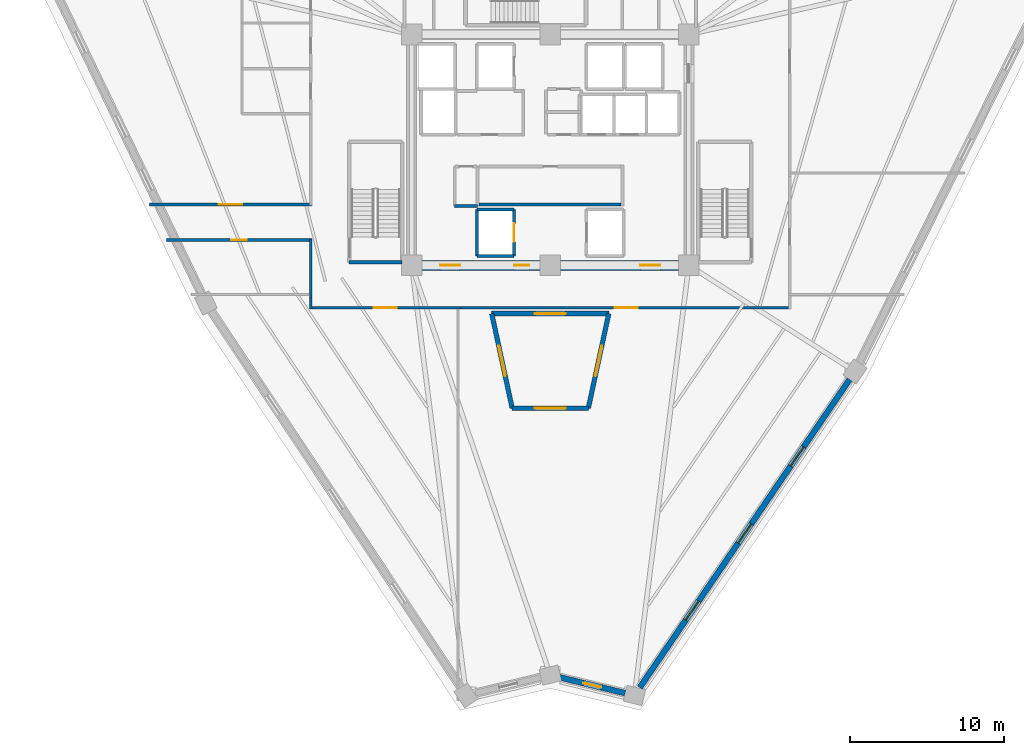
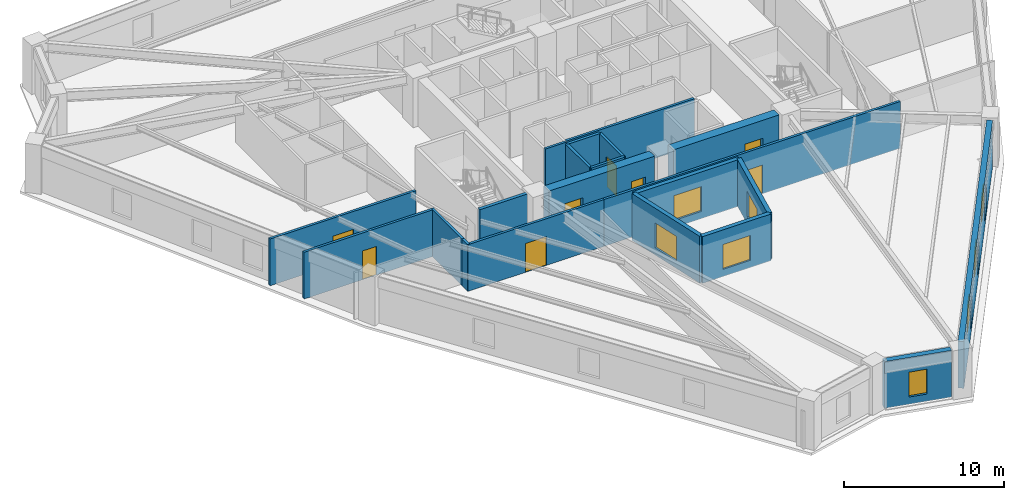
# One storey, part 3 of 10: 21 walls, 8 doors, 8 windows, 16 openings.
"""IFC4 building model written with IfcOpenShell, lengths in metres."""

from ifc_helpers import new_model, si_unit, direction, frame, frame_2d, origin, place, context, subcontext, project, spatial, rectangle, extrude, source, transform, mapped, material, layer, layer_set, type_object, element, fill, save


model = new_model("IFC4")

# Units and contexts
model_context = context("Model", 3, precision=1e-05, world=origin(), true_north=direction((0.0, 1.0)))
body_context = subcontext(model_context, "Body", "Model", "MODEL_VIEW")
ifc_project = project(units=[si_unit("LENGTHUNIT", "METRE"), si_unit("AREAUNIT", "SQUARE_METRE"), si_unit("VOLUMEUNIT", "CUBIC_METRE"), si_unit("PLANEANGLEUNIT", "RADIAN"), si_unit("MASSUNIT", "GRAM", prefix="KILO")], contexts=[model_context])

# Site, building, storey
site_placement = place(None, origin())
site = spatial("IfcSite", under=ifc_project, at=site_placement, CompositionType="ELEMENT")
building_placement = place(site_placement, origin())
building = spatial("IfcBuilding", under=site, at=building_placement, Name="Liaohun Quay Tower", CompositionType="ELEMENT")
storey_placement = place(building_placement, frame((0.0, 0.0, 216.75)))
storey = spatial("IfcBuildingStorey", under=building, at=storey_placement, Name="L56", CompositionType="ELEMENT", Elevation=216.75)

# Wall, opening, window
ifc_material_1 = material(Name="Concrete C50", Category="concrete")
ifc_layer_1 = layer(ifc_material_1, 0.300048828125, Name="Concrete C50", Category="concrete")
ifc_layer_set_1 = layer_set([ifc_layer_1], Name="Concrete C50")
wall_type_1 = type_object("IfcWallType", Name="WAL-ATR-300", PredefinedType="SOLIDWALL", material=ifc_layer_set_1)
wall_1_placement = place(storey_placement, frame((57.529052734375, 37.216064453125, 0.0), z_axis=(0.0, 0.0, 1.0), x_axis=(-0.21140087136, 0.97739944321, 0.0)))
wall_1 = element("IfcWall", 1, at=wall_1_placement, inside=storey, type_object=wall_type_1, Name="L56 Atrium Fire Compartment Wall 1", PredefinedType="SOLIDWALL", context=body_context, shape_type="SweptSolid", body=[
    extrude(rectangle(XDim=6.29638671875, YDim=0.300048828125, at=frame_2d((3.148193359375, 0.0))), origin(), (0.0, 0.0, 1.0), 3.570068359375),
])
shared_shape_1 = source(origin(), body_context, "Body", "SweptSolid", [
    extrude(rectangle(XDim=2.0, YDim=1.89990234375, at=frame_2d((1.0, 0.949951171875))), frame((0.0, 0.159912109375, 0.0), z_axis=(0.0, -1.0, 0.0), x_axis=(1.0, 0.0, 0.0)), (0.0, 0.0, 1.0), 0.320068359375),
])
opening_1_placement = place(wall_1_placement, frame((2.14794921875, 0.0, 0.550048828125)))
opening_1 = element("IfcOpeningElement", 2, at=opening_1_placement, cuts=wall_1, Name="Opening W07", PredefinedType="OPENING", context=body_context, shape_type="MappedRepresentation", body=[
    mapped(shared_shape_1, transform((0.0, 0.0, 0.0), x_axis=(1.0, 0.0, 0.0), y_axis=(0.0, 1.0, 0.0), z_axis=(0.0, 0.0, 1.0), scale=1.0)),
])
ifc_material_2 = material(Name="Class A 180-min fire-resistant insulated glazing", Category="glass")
window_type_1 = type_object("IfcWindowType", Name="WIN-ATR-FIR", PartitioningType="DOUBLE_PANEL_VERTICAL", PredefinedType="WINDOW", material=ifc_material_2)
shared_shape_2 = source(origin(), body_context, "Body", "SweptSolid", [
    extrude(rectangle(XDim=2.0, YDim=1.89990234375, at=frame_2d((1.0, 0.949951171875))), frame((0.0, 0.030029296875, 0.0), z_axis=(0.0, -1.0, 0.0), x_axis=(1.0, 0.0, 0.0)), (0.0, 0.0, 1.0), 0.06005859375),
])
window_1_placement = place(opening_1_placement, origin())
window_1 = element("IfcWindow", 3, at=window_1_placement, inside=storey, type_object=window_type_1, Name="L56 Atrium Fire-Resistant Glazing W07-1", OverallHeight=1.89990234375, OverallWidth=2.0, PartitioningType="DOUBLE_PANEL_VERTICAL", PredefinedType="WINDOW", context=body_context, shape_type="MappedRepresentation", body=[
    mapped(shared_shape_2, transform((0.0, 0.0, 0.0), x_axis=(1.0, 0.0, 0.0), y_axis=(0.0, 1.0, 0.0), z_axis=(0.0, 0.0, 1.0), scale=1.0)),
])
fill(opening_1, window_1)

wall_2_placement = place(storey_placement, frame((56.197998046875, 43.3701171875, 0.0), z_axis=(0.0, 0.0, 1.0), x_axis=(1.0, 0.0, 0.0)))
wall_2 = element("IfcWall", 4, at=wall_2_placement, inside=storey, type_object=wall_type_1, Name="L56 Atrium Fire Compartment Wall 2", PredefinedType="SOLIDWALL", context=body_context, shape_type="SweptSolid", body=[
    extrude(rectangle(XDim=7.60400390625, YDim=0.300048828125, at=frame_2d((3.802001953125, 0.0))), origin(), (0.0, 0.0, 1.0), 3.570068359375),
])
opening_2_placement = place(wall_2_placement, frame((2.802001953125, 0.0, 0.550048828125)))
opening_2 = element("IfcOpeningElement", 5, at=opening_2_placement, cuts=wall_2, Name="Opening W07", PredefinedType="OPENING", context=body_context, shape_type="MappedRepresentation", body=[
    mapped(shared_shape_1, transform((0.0, 0.0, 0.0), x_axis=(1.0, 0.0, 0.0), y_axis=(0.0, 1.0, 0.0), z_axis=(0.0, 0.0, 1.0), scale=1.0)),
])
window_2_placement = place(opening_2_placement, origin())
window_2 = element("IfcWindow", 6, at=window_2_placement, inside=storey, type_object=window_type_1, Name="L56 Atrium Fire-Resistant Glazing W07-2", OverallHeight=1.89990234375, OverallWidth=2.0, PartitioningType="DOUBLE_PANEL_VERTICAL", PredefinedType="WINDOW", context=body_context, shape_type="MappedRepresentation", body=[
    mapped(shared_shape_2, transform((0.0, 0.0, 0.0), x_axis=(1.0, 0.0, 0.0), y_axis=(0.0, 1.0, 0.0), z_axis=(0.0, 0.0, 1.0), scale=1.0)),
])
fill(opening_2, window_2)

wall_3_placement = place(storey_placement, frame((63.802001953125, 43.3701171875, 0.0), z_axis=(0.0, 0.0, 1.0), x_axis=(-0.21140087136, -0.97739944321, 0.0)))
wall_3 = element("IfcWall", 7, at=wall_3_placement, inside=storey, type_object=wall_type_1, Name="L56 Atrium Fire Compartment Wall 3", PredefinedType="SOLIDWALL", context=body_context, shape_type="SweptSolid", body=[
    extrude(rectangle(XDim=6.29638671875, YDim=0.300048828125, at=frame_2d((3.148193359375, 0.0))), origin(), (0.0, 0.0, 1.0), 3.570068359375),
])
opening_3_placement = place(wall_3_placement, frame((2.14794921875, 0.0, 0.550048828125)))
opening_3 = element("IfcOpeningElement", 8, at=opening_3_placement, cuts=wall_3, Name="Opening W07", PredefinedType="OPENING", context=body_context, shape_type="MappedRepresentation", body=[
    mapped(shared_shape_1, transform((0.0, 0.0, 0.0), x_axis=(1.0, 0.0, 0.0), y_axis=(0.0, 1.0, 0.0), z_axis=(0.0, 0.0, 1.0), scale=1.0)),
])
window_3_placement = place(opening_3_placement, origin())
window_3 = element("IfcWindow", 9, at=window_3_placement, inside=storey, type_object=window_type_1, Name="L56 Atrium Fire-Resistant Glazing W07-3", OverallHeight=1.89990234375, OverallWidth=2.0, PartitioningType="DOUBLE_PANEL_VERTICAL", PredefinedType="WINDOW", context=body_context, shape_type="MappedRepresentation", body=[
    mapped(shared_shape_2, transform((0.0, 0.0, 0.0), x_axis=(1.0, 0.0, 0.0), y_axis=(0.0, 1.0, 0.0), z_axis=(0.0, 0.0, 1.0), scale=1.0)),
])
fill(opening_3, window_3)

wall_4_placement = place(storey_placement, frame((62.470947265625, 37.216064453125, 0.0), z_axis=(0.0, 0.0, 1.0), x_axis=(-1.0, 0.0, 0.0)))
wall_4 = element("IfcWall", 10, at=wall_4_placement, inside=storey, type_object=wall_type_1, Name="L56 Atrium Fire Compartment Wall 4", PredefinedType="SOLIDWALL", context=body_context, shape_type="SweptSolid", body=[
    extrude(rectangle(XDim=4.94189453125, YDim=0.300048828125, at=frame_2d((2.470947265625, 0.0))), origin(), (0.0, 0.0, 1.0), 3.570068359375),
])
opening_4_placement = place(wall_4_placement, frame((1.470947265625, 0.0, 0.550048828125)))
opening_4 = element("IfcOpeningElement", 11, at=opening_4_placement, cuts=wall_4, Name="Opening W07", PredefinedType="OPENING", context=body_context, shape_type="MappedRepresentation", body=[
    mapped(shared_shape_1, transform((0.0, 0.0, 0.0), x_axis=(1.0, 0.0, 0.0), y_axis=(0.0, 1.0, 0.0), z_axis=(0.0, 0.0, 1.0), scale=1.0)),
])
window_4_placement = place(opening_4_placement, origin())
window_4 = element("IfcWindow", 12, at=window_4_placement, inside=storey, type_object=window_type_1, Name="L56 Atrium Fire-Resistant Glazing W07-4", OverallHeight=1.89990234375, OverallWidth=2.0, PartitioningType="DOUBLE_PANEL_VERTICAL", PredefinedType="WINDOW", context=body_context, shape_type="MappedRepresentation", body=[
    mapped(shared_shape_2, transform((0.0, 0.0, 0.0), x_axis=(1.0, 0.0, 0.0), y_axis=(0.0, 1.0, 0.0), z_axis=(0.0, 0.0, 1.0), scale=1.0)),
])
fill(opening_4, window_4)

# Wall, opening, door
ifc_material_3 = material(Name="Concrete C55", Category="concrete")
ifc_layer_2 = layer(ifc_material_3, 0.64990234375, Name="Concrete C55", Category="concrete")
ifc_layer_set_2 = layer_set([ifc_layer_2], Name="Concrete C55")
wall_type_2 = type_object("IfcWallType", Name="WAL-COR-Z3", PredefinedType="SHEAR", material=ifc_layer_set_2)
wall_5_placement = place(storey_placement, frame((68.324951171875, 46.5, 0.0), z_axis=(0.0, 0.0, 1.0), x_axis=(-1.0, 0.0, 0.0)))
wall_5 = element("IfcWall", 13, at=wall_5_placement, inside=storey, type_object=wall_type_2, Name="L56 Central Core Shear Wall S-E", PredefinedType="SHEAR", context=body_context, shape_type="SweptSolid", body=[
    extrude(rectangle(XDim=7.64990234375, YDim=0.64990234375, at=frame_2d((3.824951171875, 0.0))), origin(), (0.0, 0.0, 1.0), 3.570068359375),
])
shared_shape_3 = source(origin(), body_context, "Body", "SweptSolid", [
    extrude(rectangle(XDim=1.300048828125, YDim=2.199951171875, at=frame_2d((0.64990234375, 1.10009765625))), frame((0.0, 0.3349609375, 0.0), z_axis=(0.0, -1.0, 0.0), x_axis=(1.0, 0.0, 0.0)), (0.0, 0.0, 1.0), 0.669921875),
])
opening_5_placement = place(wall_5_placement, frame((1.175048828125, 0.0, 0.0)))
opening_5 = element("IfcOpeningElement", 14, at=opening_5_placement, cuts=wall_5, Name="Opening FD1", PredefinedType="OPENING", context=body_context, shape_type="MappedRepresentation", body=[
    mapped(shared_shape_3, transform((0.0, 0.0, 0.0), x_axis=(1.0, 0.0, 0.0), y_axis=(0.0, 1.0, 0.0), z_axis=(0.0, 0.0, 1.0), scale=1.0)),
])
ifc_material_4 = material(Name="Galvanised steel smokeproof fire door", Category="steel")
door_type_1 = type_object("IfcDoorType", Name="DOR-FFL-1300", OperationType="NOTDEFINED", PredefinedType="DOOR", material=ifc_material_4)
shared_shape_4 = source(origin(), body_context, "Body", "SweptSolid", [
    extrude(rectangle(XDim=1.300048828125, YDim=2.199951171875, at=frame_2d((0.64990234375, 1.10009765625))), frame((0.0, 0.02490234375, 0.0), z_axis=(0.0, -1.0, 0.0), x_axis=(1.0, 0.0, 0.0)), (0.0, 0.0, 1.0), 0.050048828125),
])
door_1_placement = place(opening_5_placement, origin())
door_1 = element("IfcDoor", 15, at=door_1_placement, inside=storey, type_object=door_type_1, Name="L56 East Core Lift Lobby Smokeproof Door", OperationType="SINGLE_SWING_LEFT", OverallHeight=2.199951171875, OverallWidth=1.300048828125, PredefinedType="DOOR", context=body_context, shape_type="MappedRepresentation", body=[
    mapped(shared_shape_4, transform((0.0, 0.0, 0.0), x_axis=(1.0, 0.0, 0.0), y_axis=(0.0, 1.0, 0.0), z_axis=(0.0, 0.0, 1.0), scale=1.0)),
])
fill(opening_5, door_1)

# Wall, openings, doors
wall_6_placement = place(storey_placement, frame((59.324951171875, 46.5, 0.0), z_axis=(0.0, 0.0, 1.0), x_axis=(-1.0, 0.0, 0.0)))
wall_6 = element("IfcWall", 16, at=wall_6_placement, inside=storey, type_object=wall_type_2, Name="L56 Central Core Shear Wall S-W", PredefinedType="SHEAR", context=body_context, shape_type="SweptSolid", body=[
    extrude(rectangle(XDim=7.64990234375, YDim=0.64990234375, at=frame_2d((3.824951171875, 0.0))), origin(), (0.0, 0.0, 1.0), 3.570068359375),
])
opening_6_placement = place(wall_6_placement, frame((5.175048828125, 0.0, 0.0)))
opening_6 = element("IfcOpeningElement", 17, at=opening_6_placement, cuts=wall_6, Name="Opening FD1", PredefinedType="OPENING", context=body_context, shape_type="MappedRepresentation", body=[
    mapped(shared_shape_3, transform((0.0, 0.0, 0.0), x_axis=(1.0, 0.0, 0.0), y_axis=(0.0, 1.0, 0.0), z_axis=(0.0, 0.0, 1.0), scale=1.0)),
])
shared_shape_5 = source(origin(), body_context, "Body", "SweptSolid", [
    extrude(rectangle(XDim=1.0, YDim=2.199951171875, at=frame_2d((0.5, 1.10009765625))), frame((0.0, 0.3349609375, 0.0), z_axis=(0.0, -1.0, 0.0), x_axis=(1.0, 0.0, 0.0)), (0.0, 0.0, 1.0), 0.669921875),
])
opening_7_placement = place(wall_6_placement, frame((0.675048828125, 0.0, 0.0)))
opening_7 = element("IfcOpeningElement", 18, at=opening_7_placement, cuts=wall_6, Name="Opening FD2", PredefinedType="OPENING", context=body_context, shape_type="MappedRepresentation", body=[
    mapped(shared_shape_5, transform((0.0, 0.0, 0.0), x_axis=(1.0, 0.0, 0.0), y_axis=(0.0, 1.0, 0.0), z_axis=(0.0, 0.0, 1.0), scale=1.0)),
])
door_2_placement = place(opening_6_placement, origin())
door_2 = element("IfcDoor", 19, at=door_2_placement, inside=storey, type_object=door_type_1, Name="L56 West Core Lift Lobby Smokeproof Door", OperationType="SINGLE_SWING_RIGHT", OverallHeight=2.199951171875, OverallWidth=1.300048828125, PredefinedType="DOOR", context=body_context, shape_type="MappedRepresentation", body=[
    mapped(shared_shape_4, transform((0.0, 0.0, 0.0), x_axis=(1.0, 0.0, 0.0), y_axis=(0.0, 1.0, 0.0), z_axis=(0.0, 0.0, 1.0), scale=1.0)),
])
fill(opening_6, door_2)
ifc_material_5 = material(Name="Galvanised steel smokeproof lobby fire door", Category="steel")
door_type_2 = type_object("IfcDoorType", Name="DOR-FFL-1000", OperationType="NOTDEFINED", PredefinedType="DOOR", material=ifc_material_5)
shared_shape_6 = source(origin(), body_context, "Body", "SweptSolid", [
    extrude(rectangle(XDim=1.0, YDim=2.199951171875, at=frame_2d((0.5, 1.10009765625))), frame((0.0, 0.02490234375, 0.0), z_axis=(0.0, -1.0, 0.0), x_axis=(1.0, 0.0, 0.0)), (0.0, 0.0, 1.0), 0.050048828125),
])
door_3_placement = place(opening_7_placement, origin())
door_3 = element("IfcDoor", 20, at=door_3_placement, inside=storey, type_object=door_type_2, Name="L56 South Firefighting Lobby Smokeproof Door", OperationType="SINGLE_SWING_LEFT", OverallHeight=2.199951171875, OverallWidth=1.0, PredefinedType="DOOR", context=body_context, shape_type="MappedRepresentation", body=[
    mapped(shared_shape_6, transform((0.0, 0.0, 0.0), x_axis=(1.0, 0.0, 0.0), y_axis=(0.0, 1.0, 0.0), z_axis=(0.0, 0.0, 1.0), scale=1.0)),
])
fill(opening_7, door_3)

# Wall, opening, window
ifc_material_6 = material(Name="Precast concrete C50 insulated sandwich", Category="concrete")
ifc_layer_3 = layer(ifc_material_6, 0.3798828125, Name="Precast concrete C50 insulated sandwich", Category="concrete")
ifc_layer_set_3 = layer_set([ifc_layer_3], Name="Precast concrete C50 insulated sandwich")
wall_type_3 = type_object("IfcWallType", Name="WAL-EXT-Z34", PredefinedType="SOLIDWALL", material=ifc_layer_set_3)
wall_7_placement = place(storey_placement, frame((60.597900390625, 19.7451171875, 0.0), z_axis=(0.0, 0.0, 1.0), x_axis=(0.971991723914, -0.235015081735, 0.0)))
wall_7 = element("IfcWall", 21, at=wall_7_placement, inside=storey, type_object=wall_type_3, Name="L56 Brutalist Precast Pier Wall 01", PredefinedType="SOLIDWALL", context=body_context, shape_type="SweptSolid", body=[
    extrude(rectangle(XDim=4.396240234375, YDim=0.3798828125, at=frame_2d((2.1982421875, 0.0))), origin(), (0.0, 0.0, 1.0), 3.570068359375),
])
shared_shape_7 = source(origin(), body_context, "Body", "SweptSolid", [
    extrude(rectangle(XDim=1.199951171875, YDim=1.89990234375, at=frame_2d((0.60009765625, 0.949951171875))), frame((0.0, 0.199951171875, 0.0), z_axis=(0.0, -1.0, 0.0), x_axis=(1.0, 0.0, 0.0)), (0.0, 0.0, 1.0), 0.39990234375),
])
opening_8_placement = place(wall_7_placement, frame((1.597900390625, 0.0, 0.550048828125)))
opening_8 = element("IfcOpeningElement", 22, at=opening_8_placement, cuts=wall_7, Name="Opening W05", PredefinedType="OPENING", context=body_context, shape_type="MappedRepresentation", body=[
    mapped(shared_shape_7, transform((0.0, 0.0, 0.0), x_axis=(1.0, 0.0, 0.0), y_axis=(0.0, 1.0, 0.0), z_axis=(0.0, 0.0, 1.0), scale=1.0)),
])
ifc_material_7 = material(Name="Triple Low-E corner notch glazing", Category="glass")
window_type_2 = type_object("IfcWindowType", Name="WIN-NOTCH", PartitioningType="SINGLE_PANEL", PredefinedType="WINDOW", material=ifc_material_7)
shared_shape_8 = source(origin(), body_context, "Body", "SweptSolid", [
    extrude(rectangle(XDim=1.199951171875, YDim=1.89990234375, at=frame_2d((0.60009765625, 0.949951171875))), frame((0.0, 0.030029296875, 0.0), z_axis=(0.0, -1.0, 0.0), x_axis=(1.0, 0.0, 0.0)), (0.0, 0.0, 1.0), 0.06005859375),
])
window_5_placement = place(opening_8_placement, origin())
window_5 = element("IfcWindow", 23, at=window_5_placement, inside=storey, type_object=window_type_2, Name="L56 Corner Notch Window W05-01", OverallHeight=1.89990234375, OverallWidth=1.199951171875, PartitioningType="SINGLE_PANEL", PredefinedType="WINDOW", context=body_context, shape_type="MappedRepresentation", body=[
    mapped(shared_shape_8, transform((0.0, 0.0, 0.0), x_axis=(1.0, 0.0, 0.0), y_axis=(0.0, 1.0, 0.0), z_axis=(0.0, 0.0, 1.0), scale=1.0)),
])
fill(opening_8, window_5)

# Wall, openings, windows
wall_8_placement = place(storey_placement, frame((65.81494140625, 19.075927734375, 0.0), z_axis=(0.0, 0.0, 1.0), x_axis=(0.562867607659, 0.82654706838, 0.0)))
wall_8 = element("IfcWall", 24, at=wall_8_placement, inside=storey, type_object=wall_type_3, Name="L56 Brutalist Precast Pier Wall 02", PredefinedType="SOLIDWALL", context=body_context, shape_type="SweptSolid", body=[
    extrude(rectangle(XDim=24.222412109375, YDim=0.3798828125, at=frame_2d((12.111328125, 0.0))), origin(), (0.0, 0.0, 1.0), 3.570068359375),
])
shared_shape_9 = source(origin(), body_context, "Body", "SweptSolid", [
    extrude(rectangle(XDim=1.5, YDim=1.89990234375, at=frame_2d((0.75, 0.949951171875))), frame((0.0, 0.199951171875, 0.0), z_axis=(0.0, -1.0, 0.0), x_axis=(1.0, 0.0, 0.0)), (0.0, 0.0, 1.0), 0.39990234375),
])
opening_9_placement = place(wall_8_placement, frame((5.305908203125, 0.0, 0.550048828125)))
opening_9 = element("IfcOpeningElement", 25, at=opening_9_placement, cuts=wall_8, Name="Opening W03", PredefinedType="OPENING", context=body_context, shape_type="MappedRepresentation", body=[
    mapped(shared_shape_9, transform((0.0, 0.0, 0.0), x_axis=(1.0, 0.0, 0.0), y_axis=(0.0, 1.0, 0.0), z_axis=(0.0, 0.0, 1.0), scale=1.0)),
])
opening_10_placement = place(wall_8_placement, frame((11.361083984375, 0.0, 0.550048828125)))
opening_10 = element("IfcOpeningElement", 26, at=opening_10_placement, cuts=wall_8, Name="Opening W03", PredefinedType="OPENING", context=body_context, shape_type="MappedRepresentation", body=[
    mapped(shared_shape_9, transform((0.0, 0.0, 0.0), x_axis=(1.0, 0.0, 0.0), y_axis=(0.0, 1.0, 0.0), z_axis=(0.0, 0.0, 1.0), scale=1.0)),
])
opening_11_placement = place(wall_8_placement, frame((17.4169921875, 0.0, 0.550048828125)))
opening_11 = element("IfcOpeningElement", 27, at=opening_11_placement, cuts=wall_8, Name="Opening W03", PredefinedType="OPENING", context=body_context, shape_type="MappedRepresentation", body=[
    mapped(shared_shape_9, transform((0.0, 0.0, 0.0), x_axis=(1.0, 0.0, 0.0), y_axis=(0.0, 1.0, 0.0), z_axis=(0.0, 0.0, 1.0), scale=1.0)),
])
ifc_material_8 = material(Name="Triple Low-E argon glazing in thermally broken aluminium", Category="aluminium")
window_type_3 = type_object("IfcWindowType", Name="WIN-PUN-Z3", PartitioningType="DOUBLE_PANEL_VERTICAL", PredefinedType="WINDOW", material=ifc_material_8)
shared_shape_10 = source(origin(), body_context, "Body", "SweptSolid", [
    extrude(rectangle(XDim=1.5, YDim=1.89990234375, at=frame_2d((0.75, 0.949951171875))), frame((0.0, 0.030029296875, 0.0), z_axis=(0.0, -1.0, 0.0), x_axis=(1.0, 0.0, 0.0)), (0.0, 0.0, 1.0), 0.06005859375),
])
window_6_placement = place(opening_9_placement, origin())
window_6 = element("IfcWindow", 28, at=window_6_placement, inside=storey, type_object=window_type_3, Name="L56 Recessed Cold-Climate Punched Window 02-1", OverallHeight=1.89990234375, OverallWidth=1.5, PartitioningType="DOUBLE_PANEL_VERTICAL", PredefinedType="WINDOW", context=body_context, shape_type="MappedRepresentation", body=[
    mapped(shared_shape_10, transform((0.0, 0.0, 0.0), x_axis=(1.0, 0.0, 0.0), y_axis=(0.0, 1.0, 0.0), z_axis=(0.0, 0.0, 1.0), scale=1.0)),
])
fill(opening_9, window_6)
window_7_placement = place(opening_10_placement, origin())
window_7 = element("IfcWindow", 29, at=window_7_placement, inside=storey, type_object=window_type_3, Name="L56 Recessed Cold-Climate Punched Window 02-2", OverallHeight=1.89990234375, OverallWidth=1.5, PartitioningType="DOUBLE_PANEL_VERTICAL", PredefinedType="WINDOW", context=body_context, shape_type="MappedRepresentation", body=[
    mapped(shared_shape_10, transform((0.0, 0.0, 0.0), x_axis=(1.0, 0.0, 0.0), y_axis=(0.0, 1.0, 0.0), z_axis=(0.0, 0.0, 1.0), scale=1.0)),
])
fill(opening_10, window_7)
window_8_placement = place(opening_11_placement, origin())
window_8 = element("IfcWindow", 30, at=window_8_placement, inside=storey, type_object=window_type_3, Name="L56 Recessed Cold-Climate Punched Window 02-3", OverallHeight=1.89990234375, OverallWidth=1.5, PartitioningType="DOUBLE_PANEL_VERTICAL", PredefinedType="WINDOW", context=body_context, shape_type="MappedRepresentation", body=[
    mapped(shared_shape_10, transform((0.0, 0.0, 0.0), x_axis=(1.0, 0.0, 0.0), y_axis=(0.0, 1.0, 0.0), z_axis=(0.0, 0.0, 1.0), scale=1.0)),
])
fill(opening_11, window_8)

# Wall, opening, door
ifc_material_9 = material(Name="Autoclaved aerated concrete blockwork", Category="masonry")
ifc_layer_4 = layer(ifc_material_9, 0.179931640625, Name="Autoclaved aerated concrete blockwork", Category="masonry")
ifc_layer_set_4 = layer_set([ifc_layer_4], Name="Autoclaved aerated concrete blockwork")
wall_type_4 = type_object("IfcWallType", Name="WAL-PRT-COR", PredefinedType="PARTITIONING", material=ifc_layer_set_4)
wall_9_placement = place(storey_placement, frame((33.9560546875, 50.4599609375, 0.0), z_axis=(0.0, 0.0, 1.0), x_axis=(1.0, 0.0, 0.0)))
wall_9 = element("IfcWall", 31, at=wall_9_placement, inside=storey, type_object=wall_type_4, Name="L56 Interior Partition Wall 019", PredefinedType="PARTITIONING", context=body_context, shape_type="SweptSolid", body=[
    extrude(rectangle(XDim=10.553955078125, YDim=0.179931640625, at=frame_2d((5.27685546875, 0.0))), origin(), (0.0, 0.0, 1.0), 3.570068359375),
])
shared_shape_11 = source(origin(), body_context, "Body", "SweptSolid", [
    extrude(rectangle(XDim=1.5, YDim=2.199951171875, at=frame_2d((0.75, 1.10009765625))), frame((0.0, 0.099853515625, 0.0), z_axis=(0.0, -1.0, 0.0), x_axis=(1.0, 0.0, 0.0)), (0.0, 0.0, 1.0), 0.199951171875),
])
opening_12_placement = place(wall_9_placement, frame((4.527099609375, 0.0, 0.0)))
opening_12 = element("IfcOpeningElement", 32, at=opening_12_placement, cuts=wall_9, Name="Opening OD2", PredefinedType="OPENING", context=body_context, shape_type="MappedRepresentation", body=[
    mapped(shared_shape_11, transform((0.0, 0.0, 0.0), x_axis=(1.0, 0.0, 0.0), y_axis=(0.0, 1.0, 0.0), z_axis=(0.0, 0.0, 1.0), scale=1.0)),
])
ifc_material_10 = material(Name="Acoustic oak veneer double door")
door_type_3 = type_object("IfcDoorType", Name="DOR-OFF-1500", OperationType="DOUBLE_DOOR_SINGLE_SWING", PredefinedType="DOOR", material=ifc_material_10)
shared_shape_12 = source(origin(), body_context, "Body", "SweptSolid", [
    extrude(rectangle(XDim=1.5, YDim=2.199951171875, at=frame_2d((0.75, 1.10009765625))), frame((0.0, 0.02490234375, 0.0), z_axis=(0.0, -1.0, 0.0), x_axis=(1.0, 0.0, 0.0)), (0.0, 0.0, 1.0), 0.050048828125),
])
door_4_placement = place(opening_12_placement, origin())
door_4 = element("IfcDoor", 33, at=door_4_placement, inside=storey, type_object=door_type_3, Name="L56 Project Collaboration Studio 04 Door", OperationType="DOUBLE_DOOR_SINGLE_SWING", OverallHeight=2.199951171875, OverallWidth=1.5, PredefinedType="DOOR", context=body_context, shape_type="MappedRepresentation", body=[
    mapped(shared_shape_12, transform((0.0, 0.0, 0.0), x_axis=(1.0, 0.0, 0.0), y_axis=(0.0, 1.0, 0.0), z_axis=(0.0, 0.0, 1.0), scale=1.0)),
])
fill(opening_12, door_4)

wall_10_placement = place(storey_placement, frame((44.510009765625, 48.139892578125, 0.0), z_axis=(0.0, 0.0, 1.0), x_axis=(-1.0, 0.0, 0.0)))
wall_10 = element("IfcWall", 34, at=wall_10_placement, inside=storey, type_object=wall_type_4, Name="L56 Interior Partition Wall 020", PredefinedType="PARTITIONING", context=body_context, shape_type="SweptSolid", body=[
    extrude(rectangle(XDim=9.43603515625, YDim=0.179931640625, at=frame_2d((4.718017578125, 0.0))), origin(), (0.0, 0.0, 1.0), 3.570068359375),
])
shared_shape_13 = source(origin(), body_context, "Body", "SweptSolid", [
    extrude(rectangle(XDim=1.0, YDim=2.199951171875, at=frame_2d((0.5, 1.10009765625))), frame((0.0, 0.099853515625, 0.0), z_axis=(0.0, -1.0, 0.0), x_axis=(1.0, 0.0, 0.0)), (0.0, 0.0, 1.0), 0.199951171875),
])
opening_13_placement = place(wall_10_placement, frame((4.218017578125, 0.0, 0.0)))
opening_13 = element("IfcOpeningElement", 35, at=opening_13_placement, cuts=wall_10, Name="Opening OD1", PredefinedType="OPENING", context=body_context, shape_type="MappedRepresentation", body=[
    mapped(shared_shape_13, transform((0.0, 0.0, 0.0), x_axis=(1.0, 0.0, 0.0), y_axis=(0.0, 1.0, 0.0), z_axis=(0.0, 0.0, 1.0), scale=1.0)),
])
ifc_material_11 = material(Name="Solid-core oak veneer timber leaf in steel frame", Category="steel")
door_type_4 = type_object("IfcDoorType", Name="DOR-OFF-1000", OperationType="NOTDEFINED", PredefinedType="DOOR", material=ifc_material_11)
door_5_placement = place(opening_13_placement, origin())
door_5 = element("IfcDoor", 36, at=door_5_placement, inside=storey, type_object=door_type_4, Name="L56 Client Collaboration Lounge 05 Door", OperationType="SINGLE_SWING_RIGHT", OverallHeight=2.199951171875, OverallWidth=1.0, PredefinedType="DOOR", context=body_context, shape_type="MappedRepresentation", body=[
    mapped(shared_shape_6, transform((0.0, 0.0, 0.0), x_axis=(1.0, 0.0, 0.0), y_axis=(0.0, 1.0, 0.0), z_axis=(0.0, 0.0, 1.0), scale=1.0)),
])
fill(opening_13, door_5)

wall_11_placement = place(storey_placement, frame((54.215087890625, 43.739990234375, 0.0), z_axis=(0.0, 0.0, 1.0), x_axis=(-1.0, 0.0, 0.0)))
wall_11 = element("IfcWall", 37, at=wall_11_placement, inside=storey, type_object=wall_type_4, Name="L56 Interior Partition Wall 021", PredefinedType="PARTITIONING", context=body_context, shape_type="SweptSolid", body=[
    extrude(rectangle(XDim=9.844970703125, YDim=0.179931640625, at=frame_2d((4.92236328125, 0.0))), origin(), (0.0, 0.0, 1.0), 3.570068359375),
])
opening_14_placement = place(wall_11_placement, frame((4.173095703125, 0.0, 0.0)))
opening_14 = element("IfcOpeningElement", 38, at=opening_14_placement, cuts=wall_11, Name="Opening OD2", PredefinedType="OPENING", context=body_context, shape_type="MappedRepresentation", body=[
    mapped(shared_shape_11, transform((0.0, 0.0, 0.0), x_axis=(1.0, 0.0, 0.0), y_axis=(0.0, 1.0, 0.0), z_axis=(0.0, 0.0, 1.0), scale=1.0)),
])
door_6_placement = place(opening_14_placement, origin())
door_6 = element("IfcDoor", 39, at=door_6_placement, inside=storey, type_object=door_type_3, Name="L56 Staff Tea Kitchen and Pantry 06 Door", OperationType="DOUBLE_DOOR_SINGLE_SWING", OverallHeight=2.199951171875, OverallWidth=1.5, PredefinedType="DOOR", context=body_context, shape_type="MappedRepresentation", body=[
    mapped(shared_shape_12, transform((0.0, 0.0, 0.0), x_axis=(1.0, 0.0, 0.0), y_axis=(0.0, 1.0, 0.0), z_axis=(0.0, 0.0, 1.0), scale=1.0)),
])
fill(opening_14, door_6)

wall_12_placement = place(storey_placement, frame((75.6298828125, 43.739990234375, 0.0), z_axis=(0.0, 0.0, 1.0), x_axis=(-1.0, 0.0, 0.0)))
wall_12 = element("IfcWall", 40, at=wall_12_placement, inside=storey, type_object=wall_type_4, Name="L56 Interior Partition Wall 022", PredefinedType="PARTITIONING", context=body_context, shape_type="SweptSolid", body=[
    extrude(rectangle(XDim=21.414794921875, YDim=0.179931640625, at=frame_2d((10.70751953125, 0.0))), origin(), (0.0, 0.0, 1.0), 3.570068359375),
])
opening_15_placement = place(wall_12_placement, frame((9.95703125, 0.0, 0.0)))
opening_15 = element("IfcOpeningElement", 41, at=opening_15_placement, cuts=wall_12, Name="Opening OD2", PredefinedType="OPENING", context=body_context, shape_type="MappedRepresentation", body=[
    mapped(shared_shape_11, transform((0.0, 0.0, 0.0), x_axis=(1.0, 0.0, 0.0), y_axis=(0.0, 1.0, 0.0), z_axis=(0.0, 0.0, 1.0), scale=1.0)),
])
door_7_placement = place(opening_15_placement, origin())
door_7 = element("IfcDoor", 42, at=door_7_placement, inside=storey, type_object=door_type_3, Name="L56 Staff Daycare Nursery 07 Door", OperationType="DOUBLE_DOOR_SINGLE_SWING", OverallHeight=2.199951171875, OverallWidth=1.5, PredefinedType="DOOR", context=body_context, shape_type="MappedRepresentation", body=[
    mapped(shared_shape_12, transform((0.0, 0.0, 0.0), x_axis=(1.0, 0.0, 0.0), y_axis=(0.0, 1.0, 0.0), z_axis=(0.0, 0.0, 1.0), scale=1.0)),
])
fill(opening_15, door_7)

# Walls
wall_13_placement = place(storey_placement, frame((53.7900390625, 50.35009765625, 0.0), z_axis=(0.0, 0.0, 1.0), x_axis=(1.0, 0.0, 0.0)))
element("IfcWall", 43, at=wall_13_placement, inside=storey, type_object=wall_type_4, Name="L56 Interior Partition Wall 028", PredefinedType="PARTITIONING", context=body_context, shape_type="SweptSolid", body=[
    extrude(rectangle(XDim=1.489990234375, YDim=0.179931640625, at=frame_2d((0.7451171875, 0.0))), origin(), (0.0, 0.0, 1.0), 3.570068359375),
])
wall_14_placement = place(storey_placement, frame((44.43994140625, 44.385009765625, 0.0), z_axis=(0.0, 0.0, 1.0), x_axis=(0.0, 1.0, 0.0)))
element("IfcWall", 44, at=wall_14_placement, inside=storey, type_object=wall_type_4, Name="L56 Interior Partition Wall 046", PredefinedType="PARTITIONING", context=body_context, shape_type="SweptSolid", body=[
    extrude(rectangle(XDim=3.824951171875, YDim=0.179931640625, at=frame_2d((1.91259765625, 0.0))), origin(), (0.0, 0.0, 1.0), 3.570068359375),
])
wall_15_placement = place(storey_placement, frame((44.43994140625, 43.669921875, 0.0), z_axis=(0.0, 0.0, 1.0), x_axis=(0.0, 1.0, 0.0)))
element("IfcWall", 45, at=wall_15_placement, inside=storey, type_object=wall_type_4, Name="L56 Interior Partition Wall 047", PredefinedType="PARTITIONING", context=body_context, shape_type="SweptSolid", body=[
    extrude(rectangle(XDim=0.715087890625, YDim=0.179931640625, at=frame_2d((0.357421875, 0.0))), origin(), (0.0, 0.0, 1.0), 3.570068359375),
])
wall_16_placement = place(storey_placement, frame((55.3701171875, 50.449951171875, 0.0), z_axis=(0.0, 0.0, 1.0), x_axis=(1.0, 0.0, 0.0)))
element("IfcWall", 46, at=wall_16_placement, inside=storey, type_object=wall_type_4, Name="L56 Interior Partition Wall 056", PredefinedType="PARTITIONING", context=body_context, shape_type="SweptSolid", body=[
    extrude(rectangle(XDim=9.239990234375, YDim=0.179931640625, at=frame_2d((4.6201171875, 0.0))), origin(), (0.0, 0.0, 1.0), 3.570068359375),
])
ifc_layer_5 = layer(ifc_material_1, 0.239990234375, Name="Concrete C50", Category="concrete")
ifc_layer_set_5 = layer_set([ifc_layer_5], Name="Concrete C50")
wall_type_5 = type_object("IfcWallType", Name="WAL-SHF-200", PredefinedType="SOLIDWALL", material=ifc_layer_set_5)
wall_17_placement = place(storey_placement, frame((46.93994140625, 46.699951171875, 0.0), z_axis=(0.0, 0.0, 1.0), x_axis=(1.0, 0.0, 0.0)))
element("IfcWall", 47, at=wall_17_placement, inside=storey, type_object=wall_type_5, Name="L56 Stairwell ST-1 Structural Core Wall S", PredefinedType="SOLIDWALL", context=body_context, shape_type="SweptSolid", body=[
    extrude(rectangle(XDim=3.43994140625, YDim=0.239990234375, at=frame_2d((1.719970703125, 0.0))), origin(), (0.0, 0.0, 1.0), 3.570068359375),
])
wall_18_placement = place(storey_placement, frame((55.25, 47.1201171875, 0.0), z_axis=(0.0, 0.0, 1.0), x_axis=(1.0, 0.0, 0.0)))
element("IfcWall", 48, at=wall_18_placement, inside=storey, type_object=wall_type_5, Name="L56 Lift FF-01 Hoistway Wall S", PredefinedType="SOLIDWALL", context=body_context, shape_type="SweptSolid", body=[
    extrude(rectangle(XDim=2.39990234375, YDim=0.199951171875, at=frame_2d((1.199951171875, 0.0))), origin(), (0.0, 0.0, 1.0), 3.570068359375),
])

# Wall, opening, door
wall_19_placement = place(storey_placement, frame((57.64990234375, 47.1201171875, 0.0), z_axis=(0.0, 0.0, 1.0), x_axis=(0.0, 1.0, 0.0)))
wall_19 = element("IfcWall", 49, at=wall_19_placement, inside=storey, type_object=wall_type_5, Name="L56 Lift FF-01 Hoistway Wall E", PredefinedType="SOLIDWALL", context=body_context, shape_type="SweptSolid", body=[
    extrude(rectangle(XDim=3.0, YDim=0.199951171875, at=frame_2d((1.5, 0.0))), origin(), (0.0, 0.0, 1.0), 3.570068359375),
])
shared_shape_14 = source(origin(), body_context, "Body", "SweptSolid", [
    extrude(rectangle(XDim=1.199951171875, YDim=2.300048828125, at=frame_2d((0.60009765625, 1.14990234375))), frame((0.0, 0.10986328125, 0.0), z_axis=(0.0, -1.0, 0.0), x_axis=(1.0, 0.0, 0.0)), (0.0, 0.0, 1.0), 0.219970703125),
])
opening_16_placement = place(wall_19_placement, frame((0.89990234375, 0.0, 0.0)))
opening_16 = element("IfcOpeningElement", 50, at=opening_16_placement, cuts=wall_19, Name="Opening LD2", PredefinedType="OPENING", context=body_context, shape_type="MappedRepresentation", body=[
    mapped(shared_shape_14, transform((0.0, 0.0, 0.0), x_axis=(1.0, 0.0, 0.0), y_axis=(0.0, 1.0, 0.0), z_axis=(0.0, 0.0, 1.0), scale=1.0)),
])
ifc_material_12 = material(Name="Brushed stainless steel stretcher landing door", Category="steel")
door_type_5 = type_object("IfcDoorType", Name="DOR-LFT-1200", OperationType="SLIDING_TO_LEFT", PredefinedType="DOOR", material=ifc_material_12)
shared_shape_15 = source(origin(), body_context, "Body", "SweptSolid", [
    extrude(rectangle(XDim=1.199951171875, YDim=2.300048828125, at=frame_2d((0.60009765625, 1.14990234375))), frame((0.0, 0.02490234375, 0.0), z_axis=(0.0, -1.0, 0.0), x_axis=(1.0, 0.0, 0.0)), (0.0, 0.0, 1.0), 0.050048828125),
])
door_8_placement = place(opening_16_placement, origin())
door_8 = element("IfcDoor", 51, at=door_8_placement, inside=storey, type_object=door_type_5, Name="L56 Lift FF-01 Sliding Landing Door", OperationType="SLIDING_TO_LEFT", OverallHeight=2.300048828125, OverallWidth=1.199951171875, PredefinedType="DOOR", context=body_context, shape_type="MappedRepresentation", body=[
    mapped(shared_shape_15, transform((0.0, 0.0, 0.0), x_axis=(1.0, 0.0, 0.0), y_axis=(0.0, 1.0, 0.0), z_axis=(0.0, 0.0, 1.0), scale=1.0)),
])
fill(opening_16, door_8)

# Walls
wall_20_placement = place(storey_placement, frame((57.64990234375, 50.1201171875, 0.0), z_axis=(0.0, 0.0, 1.0), x_axis=(-1.0, 0.0, 0.0)))
element("IfcWall", 52, at=wall_20_placement, inside=storey, type_object=wall_type_5, Name="L56 Lift FF-01 Hoistway Wall N", PredefinedType="SOLIDWALL", context=body_context, shape_type="SweptSolid", body=[
    extrude(rectangle(XDim=2.39990234375, YDim=0.199951171875, at=frame_2d((1.199951171875, 0.0))), origin(), (0.0, 0.0, 1.0), 3.570068359375),
])
wall_21_placement = place(storey_placement, frame((55.25, 50.1201171875, 0.0), z_axis=(0.0, 0.0, 1.0), x_axis=(0.0, -1.0, 0.0)))
element("IfcWall", 53, at=wall_21_placement, inside=storey, type_object=wall_type_5, Name="L56 Lift FF-01 Hoistway Wall W", PredefinedType="SOLIDWALL", context=body_context, shape_type="SweptSolid", body=[
    extrude(rectangle(XDim=3.0, YDim=0.199951171875, at=frame_2d((1.5, 0.0))), origin(), (0.0, 0.0, 1.0), 3.570068359375),
])

save(model, "model.ifc")
